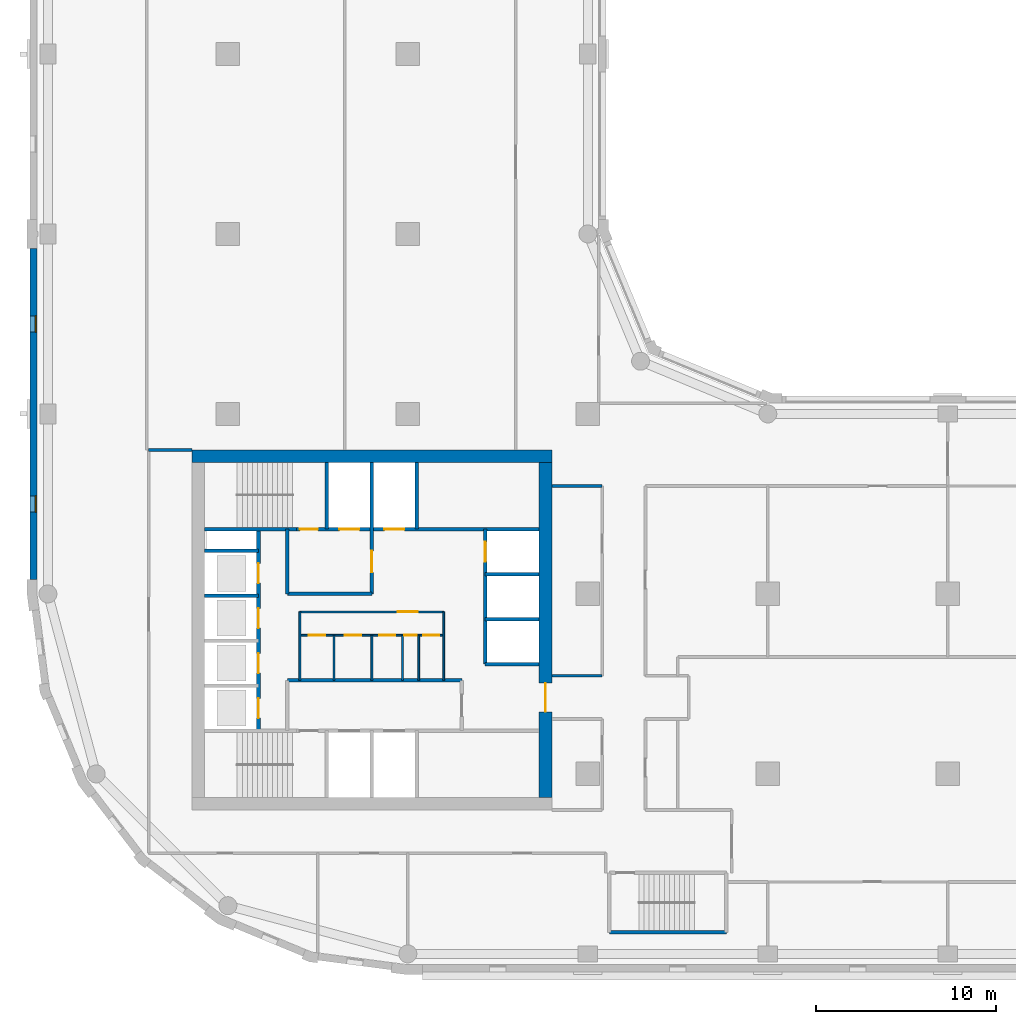
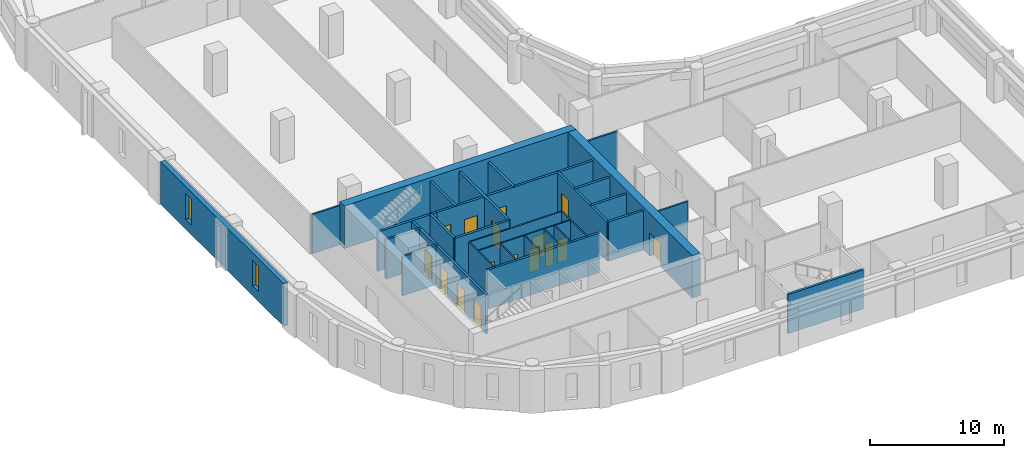
# One storey, part 3 of 9: 30 walls, 16 doors, 2 windows, 18 openings.
"""IFC4 building model written with IfcOpenShell, lengths in metres."""

from ifc_helpers import new_model, si_unit, direction, frame, frame_2d, origin, place, context, subcontext, project, spatial, rectangle, extrude, material, layer, layer_set, type_object, element, fill, save


model = new_model("IFC4")

# Units and contexts
model_context = context("Model", 3, precision=1e-05, world=origin(), true_north=direction((0.0, 1.0)))
body_context = subcontext(model_context, "Body", "Model", "MODEL_VIEW")
ifc_project = project(units=[si_unit("LENGTHUNIT", "METRE"), si_unit("AREAUNIT", "SQUARE_METRE"), si_unit("VOLUMEUNIT", "CUBIC_METRE"), si_unit("PLANEANGLEUNIT", "RADIAN"), si_unit("MASSUNIT", "GRAM", prefix="KILO")], contexts=[model_context])

# Site, building, storey
site_placement = place(None, origin())
site = spatial("IfcSite", under=ifc_project, at=site_placement, CompositionType="ELEMENT")
building_placement = place(site_placement, origin())
building = spatial("IfcBuilding", under=site, at=building_placement, Name="Qaws Garden Tower", CompositionType="ELEMENT")
storey_placement = place(building_placement, frame((0.0, 0.0, 143.39990234375)))
storey = spatial("IfcBuildingStorey", under=building, at=storey_placement, Name="L34", CompositionType="ELEMENT", Elevation=143.39990234375)

# Wall, openings, windows
ifc_material_1 = material(Name="Clay facing brick masonry", Category="masonry")
ifc_layer_1 = layer(ifc_material_1, 0.39990234375)
ifc_layer_set_1 = layer_set([ifc_layer_1], Name="Clay facing brick masonry")
wall_type_1 = type_object("IfcWallType", Name="Brick infill wall 400", PredefinedType="SOLIDWALL", material=ifc_layer_set_1)
wall_1_placement = place(storey_placement, frame((-0.800048828125, 39.199951171875, 0.0), z_axis=(0.0, 0.0, 1.0), x_axis=(0.0, -1.0, 0.0)))
wall_1 = element("IfcWall", 1, at=wall_1_placement, inside=storey, type_object=wall_type_1, Name="E-L34-infill-23", PredefinedType="SOLIDWALL", context=body_context, shape_type="SweptSolid", body=[
    extrude(rectangle(XDim=18.39990234375, YDim=0.39990234375, at=frame_2d((9.199951171875, 0.0))), origin(), (0.0, 0.0, 1.0), 3.900146484375),
])
opening_1_placement = place(wall_1_placement, frame((3.75, 0.0, 0.89990234375)))
opening_1 = element("IfcOpeningElement", 2, at=opening_1_placement, cuts=wall_1, Name="Opening W09", PredefinedType="OPENING", context=body_context, shape_type="SweptSolid", body=[
    extrude(rectangle(XDim=0.89990234375, YDim=2.35009765625, at=frame_2d((0.449951171875, 1.175048828125))), frame((0.0, 0.2099609375, 0.0), z_axis=(0.0, -1.0, 0.0), x_axis=(1.0, 0.0, 0.0)), (0.0, 0.0, 1.0), 0.419921875),
])
opening_2_placement = place(wall_1_placement, frame((13.75, 0.0, 0.89990234375)))
opening_2 = element("IfcOpeningElement", 3, at=opening_2_placement, cuts=wall_1, Name="Opening W09", PredefinedType="OPENING", context=body_context, shape_type="SweptSolid", body=[
    extrude(rectangle(XDim=0.89990234375, YDim=2.35009765625, at=frame_2d((0.449951171875, 1.175048828125))), frame((0.0, 0.2099609375, 0.0), z_axis=(0.0, -1.0, 0.0), x_axis=(1.0, 0.0, 0.0)), (0.0, 0.0, 1.0), 0.419921875),
])
ifc_material_2 = material(Name="Aluminium framed window, clear glazing", Category="aluminium")
window_type = type_object("IfcWindowType", Name="Slit window 900 x 2350", PartitioningType="SINGLE_PANEL", PredefinedType="WINDOW", material=ifc_material_2)
window_1_placement = place(opening_1_placement, origin())
window_1 = element("IfcWindow", 4, at=window_1_placement, inside=storey, type_object=window_type, Name="E-L34-window-23-0", OverallHeight=2.35009765625, OverallWidth=0.89990234375, PartitioningType="SINGLE_PANEL", PredefinedType="WINDOW", context=body_context, shape_type="SweptSolid", body=[
    extrude(rectangle(XDim=0.89990234375, YDim=2.35009765625, at=frame_2d((0.449951171875, 1.175048828125))), frame((0.0, 0.159912109375, 0.0), z_axis=(0.0, -1.0, 0.0), x_axis=(1.0, 0.0, 0.0)), (0.0, 0.0, 1.0), 0.06005859375),
])
fill(opening_1, window_1)
window_2_placement = place(opening_2_placement, origin())
window_2 = element("IfcWindow", 5, at=window_2_placement, inside=storey, type_object=window_type, Name="E-L34-window-24-0", OverallHeight=2.35009765625, OverallWidth=0.89990234375, PartitioningType="SINGLE_PANEL", PredefinedType="WINDOW", context=body_context, shape_type="SweptSolid", body=[
    extrude(rectangle(XDim=0.89990234375, YDim=2.35009765625, at=frame_2d((0.449951171875, 1.175048828125))), frame((0.0, 0.159912109375, 0.0), z_axis=(0.0, -1.0, 0.0), x_axis=(1.0, 0.0, 0.0)), (0.0, 0.0, 1.0), 0.06005859375),
])
fill(opening_2, window_2)

# Wall, openings, doors
ifc_material_3 = material(Name="Plasterboard")
ifc_layer_2 = layer(ifc_material_3, 0.10009765625)
ifc_layer_set_2 = layer_set([ifc_layer_2], Name="Plasterboard")
wall_type_2 = type_object("IfcWallType", Name="Core partition 100", PredefinedType="PARTITIONING", material=ifc_layer_set_2)
wall_2_placement = place(storey_placement, frame((14.0, 17.699951171875, 0.0), z_axis=(0.0, 0.0, 1.0), x_axis=(1.0, 0.0, 0.0)))
wall_2 = element("IfcWall", 6, at=wall_2_placement, inside=storey, type_object=wall_type_2, Name="Core partition", PredefinedType="PARTITIONING", context=body_context, shape_type="SweptSolid", body=[
    extrude(rectangle(XDim=8.0, YDim=0.10009765625, at=frame_2d((4.0, 0.0))), origin(), (0.0, 0.0, 1.0), 3.580078125),
])
opening_3_placement = place(wall_2_placement, frame((0.5, 0.0, 0.0)))
opening_3 = element("IfcOpeningElement", 7, at=opening_3_placement, cuts=wall_2, Name="Opening WD18", PredefinedType="OPENING", context=body_context, shape_type="SweptSolid", body=[
    extrude(rectangle(XDim=0.89990234375, YDim=2.10009765625, at=frame_2d((0.449951171875, 1.050048828125))), frame((0.0, 0.06005859375, 0.0), z_axis=(0.0, -1.0, 0.0), x_axis=(1.0, 0.0, 0.0)), (0.0, 0.0, 1.0), 0.1201171875),
])
opening_4_placement = place(wall_2_placement, frame((2.5, 0.0, 0.0)))
opening_4 = element("IfcOpeningElement", 8, at=opening_4_placement, cuts=wall_2, Name="Opening WD19", PredefinedType="OPENING", context=body_context, shape_type="SweptSolid", body=[
    extrude(rectangle(XDim=0.89990234375, YDim=2.10009765625, at=frame_2d((0.449951171875, 1.050048828125))), frame((0.0, 0.06005859375, 0.0), z_axis=(0.0, -1.0, 0.0), x_axis=(1.0, 0.0, 0.0)), (0.0, 0.0, 1.0), 0.1201171875),
])
opening_5_placement = place(wall_2_placement, frame((4.39990234375, 0.0, 0.0)))
opening_5 = element("IfcOpeningElement", 9, at=opening_5_placement, cuts=wall_2, Name="Opening WD20", PredefinedType="OPENING", context=body_context, shape_type="SweptSolid", body=[
    extrude(rectangle(XDim=0.89990234375, YDim=2.10009765625, at=frame_2d((0.449951171875, 1.050048828125))), frame((0.0, 0.06005859375, 0.0), z_axis=(0.0, -1.0, 0.0), x_axis=(1.0, 0.0, 0.0)), (0.0, 0.0, 1.0), 0.1201171875),
])
opening_6_placement = place(wall_2_placement, frame((5.800048828125, 0.0, 0.0)))
opening_6 = element("IfcOpeningElement", 10, at=opening_6_placement, cuts=wall_2, Name="Opening XD21", PredefinedType="OPENING", context=body_context, shape_type="SweptSolid", body=[
    extrude(rectangle(XDim=0.699951171875, YDim=2.10009765625, at=frame_2d((0.35009765625, 1.050048828125))), frame((0.0, 0.06005859375, 0.0), z_axis=(0.0, -1.0, 0.0), x_axis=(1.0, 0.0, 0.0)), (0.0, 0.0, 1.0), 0.1201171875),
])
opening_7_placement = place(wall_2_placement, frame((6.85009765625, 0.0, 0.0)))
opening_7 = element("IfcOpeningElement", 11, at=opening_7_placement, cuts=wall_2, Name="Opening WD22", PredefinedType="OPENING", context=body_context, shape_type="SweptSolid", body=[
    extrude(rectangle(XDim=0.89990234375, YDim=2.10009765625, at=frame_2d((0.449951171875, 1.050048828125))), frame((0.0, 0.06005859375, 0.0), z_axis=(0.0, -1.0, 0.0), x_axis=(1.0, 0.0, 0.0)), (0.0, 0.0, 1.0), 0.1201171875),
])
ifc_material_4 = material(Name="Timber", Category="wood")
door_type_1 = type_object("IfcDoorType", Name="Store door 700x2100", OperationType="SINGLE_SWING_LEFT", PredefinedType="DOOR", material=ifc_material_4)
door_1_placement = place(opening_6_placement, frame((0.699951171875, 0.0, 0.0), z_axis=(0.0, 0.0, 1.0), x_axis=(-1.0, 0.0, 0.0)))
door_1 = element("IfcDoor", 12, at=door_1_placement, inside=storey, type_object=door_type_1, Name="Cleaner's store door", OperationType="SINGLE_SWING_LEFT", OverallHeight=2.10009765625, OverallWidth=0.699951171875, PredefinedType="DOOR", context=body_context, shape_type="SweptSolid", body=[
    extrude(rectangle(XDim=0.699951171875, YDim=2.10009765625, at=frame_2d((0.35009765625, 1.050048828125))), frame((0.0, 0.02490234375, 0.0), z_axis=(0.0, -1.0, 0.0), x_axis=(1.0, 0.0, 0.0)), (0.0, 0.0, 1.0), 0.050048828125),
])
fill(opening_6, door_1)
ifc_material_5 = material(Name="Timber", Category="wood")
door_type_2 = type_object("IfcDoorType", Name="WC door 900x2100", OperationType="SINGLE_SWING_LEFT", PredefinedType="DOOR", material=ifc_material_5)
door_2_placement = place(opening_3_placement, frame((0.89990234375, 0.0, 0.0), z_axis=(0.0, 0.0, 1.0), x_axis=(-1.0, 0.0, 0.0)))
door_2 = element("IfcDoor", 13, at=door_2_placement, inside=storey, type_object=door_type_2, Name="Men's WC door", OperationType="SINGLE_SWING_LEFT", OverallHeight=2.10009765625, OverallWidth=0.89990234375, PredefinedType="DOOR", context=body_context, shape_type="SweptSolid", body=[
    extrude(rectangle(XDim=0.89990234375, YDim=2.10009765625, at=frame_2d((0.449951171875, 1.050048828125))), frame((0.0, 0.02490234375, 0.0), z_axis=(0.0, -1.0, 0.0), x_axis=(1.0, 0.0, 0.0)), (0.0, 0.0, 1.0), 0.050048828125),
])
fill(opening_3, door_2)
door_3_placement = place(opening_4_placement, frame((0.89990234375, 0.0, 0.0), z_axis=(0.0, 0.0, 1.0), x_axis=(-1.0, 0.0, 0.0)))
door_3 = element("IfcDoor", 14, at=door_3_placement, inside=storey, type_object=door_type_2, Name="Women's WC door", OperationType="SINGLE_SWING_LEFT", OverallHeight=2.10009765625, OverallWidth=0.89990234375, PredefinedType="DOOR", context=body_context, shape_type="SweptSolid", body=[
    extrude(rectangle(XDim=0.89990234375, YDim=2.10009765625, at=frame_2d((0.449951171875, 1.050048828125))), frame((0.0, 0.02490234375, 0.0), z_axis=(0.0, -1.0, 0.0), x_axis=(1.0, 0.0, 0.0)), (0.0, 0.0, 1.0), 0.050048828125),
])
fill(opening_4, door_3)
door_4_placement = place(opening_5_placement, frame((0.89990234375, 0.0, 0.0), z_axis=(0.0, 0.0, 1.0), x_axis=(-1.0, 0.0, 0.0)))
door_4 = element("IfcDoor", 15, at=door_4_placement, inside=storey, type_object=door_type_2, Name="Accessible WC door", OperationType="SINGLE_SWING_LEFT", OverallHeight=2.10009765625, OverallWidth=0.89990234375, PredefinedType="DOOR", context=body_context, shape_type="SweptSolid", body=[
    extrude(rectangle(XDim=0.89990234375, YDim=2.10009765625, at=frame_2d((0.449951171875, 1.050048828125))), frame((0.0, 0.02490234375, 0.0), z_axis=(0.0, -1.0, 0.0), x_axis=(1.0, 0.0, 0.0)), (0.0, 0.0, 1.0), 0.050048828125),
])
fill(opening_5, door_4)
door_5_placement = place(opening_7_placement, frame((0.89990234375, 0.0, 0.0), z_axis=(0.0, 0.0, 1.0), x_axis=(-1.0, 0.0, 0.0)))
door_5 = element("IfcDoor", 16, at=door_5_placement, inside=storey, type_object=door_type_2, Name="Linen store door", OperationType="SINGLE_SWING_LEFT", OverallHeight=2.10009765625, OverallWidth=0.89990234375, PredefinedType="DOOR", context=body_context, shape_type="SweptSolid", body=[
    extrude(rectangle(XDim=0.89990234375, YDim=2.10009765625, at=frame_2d((0.449951171875, 1.050048828125))), frame((0.0, 0.02490234375, 0.0), z_axis=(0.0, -1.0, 0.0), x_axis=(1.0, 0.0, 0.0)), (0.0, 0.0, 1.0), 0.050048828125),
])
fill(opening_7, door_5)

# Wall, opening, door
wall_3_placement = place(storey_placement, frame((14.0, 19.0, 0.0), z_axis=(0.0, 0.0, 1.0), x_axis=(1.0, 0.0, 0.0)))
wall_3 = element("IfcWall", 17, at=wall_3_placement, inside=storey, type_object=wall_type_2, Name="Core partition", PredefinedType="PARTITIONING", context=body_context, shape_type="SweptSolid", body=[
    extrude(rectangle(XDim=8.0, YDim=0.10009765625, at=frame_2d((4.0, 0.0))), origin(), (0.0, 0.0, 1.0), 3.580078125),
])
opening_8_placement = place(wall_3_placement, frame((5.449951171875, 0.0, 0.0)))
opening_8 = element("IfcOpeningElement", 18, at=opening_8_placement, cuts=wall_3, Name="Opening WL17", PredefinedType="OPENING", context=body_context, shape_type="SweptSolid", body=[
    extrude(rectangle(XDim=1.10009765625, YDim=2.10009765625, at=frame_2d((0.550048828125, 1.050048828125))), frame((0.0, 0.06005859375, 0.0), z_axis=(0.0, -1.0, 0.0), x_axis=(1.0, 0.0, 0.0)), (0.0, 0.0, 1.0), 0.1201171875),
])
ifc_material_6 = material(Name="Timber", Category="wood")
door_type_3 = type_object("IfcDoorType", Name="WC lobby door 1100x2100", OperationType="SINGLE_SWING_LEFT", PredefinedType="DOOR", material=ifc_material_6)
door_6_placement = place(opening_8_placement, frame((1.10009765625, 0.0, 0.0), z_axis=(0.0, 0.0, 1.0), x_axis=(-1.0, 0.0, 0.0)))
door_6 = element("IfcDoor", 19, at=door_6_placement, inside=storey, type_object=door_type_3, Name="WC lobby door", OperationType="SINGLE_SWING_LEFT", OverallHeight=2.10009765625, OverallWidth=1.10009765625, PredefinedType="DOOR", context=body_context, shape_type="SweptSolid", body=[
    extrude(rectangle(XDim=1.10009765625, YDim=2.10009765625, at=frame_2d((0.550048828125, 1.050048828125))), frame((0.0, 0.02490234375, 0.0), z_axis=(0.0, -1.0, 0.0), x_axis=(1.0, 0.0, 0.0)), (0.0, 0.0, 1.0), 0.050048828125),
])
fill(opening_8, door_6)

# Walls
wall_4_placement = place(storey_placement, frame((14.0, 15.199951171875, 0.0), z_axis=(0.0, 0.0, 1.0), x_axis=(0.0, 1.0, 0.0)))
element("IfcWall", 20, at=wall_4_placement, inside=storey, type_object=wall_type_2, Name="Core partition", PredefinedType="PARTITIONING", context=body_context, shape_type="SweptSolid", body=[
    extrude(rectangle(XDim=3.800048828125, YDim=0.10009765625, at=frame_2d((1.89990234375, 0.0))), origin(), (0.0, 0.0, 1.0), 3.580078125),
])
for number, where, z_axis, x_axis, name in (
    (21, (15.89990234375, 15.199951171875, 0.0), (0.0, 0.0, 1.0), (0.0, 1.0, 0.0), "Core partition"),
    (22, (18.0, 15.199951171875, 0.0), (0.0, 0.0, 1.0), (0.0, 1.0, 0.0), "Core partition"),
    (23, (19.699951171875, 15.199951171875, 0.0), (0.0, 0.0, 1.0), (0.0, 1.0, 0.0), "Core partition"),
    (24, (20.60009765625, 15.199951171875, 0.0), (0.0, 0.0, 1.0), (0.0, 1.0, 0.0), "Core partition"),
):
    element("IfcWall", number, at=place(storey_placement, frame(where, z_axis=z_axis, x_axis=x_axis)), inside=storey, type_object=wall_type_2, Name=name, PredefinedType="PARTITIONING", context=body_context, shape_type="SweptSolid", body=[
        extrude(rectangle(XDim=2.5, YDim=0.10009765625, at=frame_2d((1.25, 0.0))), origin(), (0.0, 0.0, 1.0), 3.580078125),
    ])
wall_5_placement = place(storey_placement, frame((22.0, 15.199951171875, 0.0), z_axis=(0.0, 0.0, 1.0), x_axis=(0.0, 1.0, 0.0)))
element("IfcWall", 25, at=wall_5_placement, inside=storey, type_object=wall_type_2, Name="Core partition", PredefinedType="PARTITIONING", context=body_context, shape_type="SweptSolid", body=[
    extrude(rectangle(XDim=3.800048828125, YDim=0.10009765625, at=frame_2d((1.89990234375, 0.0))), origin(), (0.0, 0.0, 1.0), 3.580078125),
])
ifc_material_7 = material(Name="Concrete C70", Category="concrete")
ifc_layer_3 = layer(ifc_material_7, 0.199951171875)
ifc_layer_set_3 = layer_set([ifc_layer_3], Name="Concrete C70")
wall_type_3 = type_object("IfcWallType", Name="Core shaft wall 200 C70", PredefinedType="SHEAR", material=ifc_layer_set_3)
wall_6_placement = place(storey_placement, frame((31.199951171875, 1.199951171875, 0.0), z_axis=(0.0, 0.0, 1.0), x_axis=(1.0, 0.0, 0.0)))
element("IfcWall", 26, at=wall_6_placement, inside=storey, type_object=wall_type_3, Name="Shaft wall", PredefinedType="SHEAR", context=body_context, shape_type="SweptSolid", body=[
    extrude(rectangle(XDim=6.5, YDim=0.199951171875, at=frame_2d((3.25, 0.0))), origin(), (0.0, 0.0, 1.0), 3.580078125),
])
wall_7_placement = place(storey_placement, frame((13.300048828125, 15.199951171875, 0.0), z_axis=(0.0, 0.0, 1.0), x_axis=(1.0, 0.0, 0.0)))
element("IfcWall", 27, at=wall_7_placement, inside=storey, type_object=wall_type_3, Name="Shaft wall", PredefinedType="SHEAR", context=body_context, shape_type="SweptSolid", body=[
    extrude(rectangle(XDim=9.699951171875, YDim=0.199951171875, at=frame_2d((4.85009765625, 0.0))), origin(), (0.0, 0.0, 1.0), 3.580078125),
])
for number, where, z_axis, x_axis, name in (
    (28, (24.300048828125, 16.10009765625, 0.0), (0.0, 0.0, 1.0), (1.0, 0.0, 0.0), "Shaft wall"),
    (29, (24.300048828125, 18.60009765625, 0.0), (0.0, 0.0, 1.0), (1.0, 0.0, 0.0), "Shaft wall"),
    (30, (8.699951171875, 19.89990234375, 0.0), (0.0, 0.0, 1.0), (1.0, 0.0, 0.0), "Shaft wall"),
):
    element("IfcWall", number, at=place(storey_placement, frame(where, z_axis=z_axis, x_axis=x_axis)), inside=storey, type_object=wall_type_3, Name=name, PredefinedType="SHEAR", context=body_context, shape_type="SweptSolid", body=[
        extrude(rectangle(XDim=3.0, YDim=0.199951171875, at=frame_2d((1.5, 0.0))), origin(), (0.0, 0.0, 1.0), 3.580078125),
    ])
wall_8_placement = place(storey_placement, frame((13.300048828125, 20.0, 0.0), z_axis=(0.0, 0.0, 1.0), x_axis=(1.0, 0.0, 0.0)))
element("IfcWall", 31, at=wall_8_placement, inside=storey, type_object=wall_type_3, Name="Shaft wall", PredefinedType="SHEAR", context=body_context, shape_type="SweptSolid", body=[
    extrude(rectangle(XDim=4.699951171875, YDim=0.199951171875, at=frame_2d((2.35009765625, 0.0))), origin(), (0.0, 0.0, 1.0), 3.580078125),
])
for number, where, z_axis, x_axis, name in (
    (32, (24.300048828125, 21.10009765625, 0.0), (0.0, 0.0, 1.0), (1.0, 0.0, 0.0), "Shaft wall"),
    (33, (8.699951171875, 22.39990234375, 0.0), (0.0, 0.0, 1.0), (1.0, 0.0, 0.0), "Shaft wall"),
):
    element("IfcWall", number, at=place(storey_placement, frame(where, z_axis=z_axis, x_axis=x_axis)), inside=storey, type_object=wall_type_3, Name=name, PredefinedType="SHEAR", context=body_context, shape_type="SweptSolid", body=[
        extrude(rectangle(XDim=3.0, YDim=0.199951171875, at=frame_2d((1.5, 0.0))), origin(), (0.0, 0.0, 1.0), 3.580078125),
    ])
wall_9_placement = place(storey_placement, frame((8.699951171875, 23.60009765625, 0.0), z_axis=(0.0, 0.0, 1.0), x_axis=(1.0, 0.0, 0.0)))
element("IfcWall", 34, at=wall_9_placement, inside=storey, type_object=wall_type_3, Name="Shaft wall", PredefinedType="SHEAR", context=body_context, shape_type="SweptSolid", body=[
    extrude(rectangle(XDim=5.10009765625, YDim=0.199951171875, at=frame_2d((2.550048828125, 0.0))), origin(), (0.0, 0.0, 1.0), 3.580078125),
])

# Wall, openings, doors
wall_10_placement = place(storey_placement, frame((13.800048828125, 23.60009765625, 0.0), z_axis=(0.0, 0.0, 1.0), x_axis=(1.0, 0.0, 0.0)))
wall_10 = element("IfcWall", 35, at=wall_10_placement, inside=storey, type_object=wall_type_3, Name="Shaft wall", PredefinedType="SHEAR", context=body_context, shape_type="SweptSolid", body=[
    extrude(rectangle(XDim=13.5, YDim=0.199951171875, at=frame_2d((6.75, 0.0))), origin(), (0.0, 0.0, 1.0), 3.580078125),
])
opening_9_placement = place(wall_10_placement, frame((2.39990234375, 0.0, 0.0)))
opening_9 = element("IfcOpeningElement", 36, at=opening_9_placement, cuts=wall_10, Name="Opening LD08", PredefinedType="OPENING", context=body_context, shape_type="SweptSolid", body=[
    extrude(rectangle(XDim=1.10009765625, YDim=2.10009765625, at=frame_2d((0.550048828125, 1.050048828125))), frame((0.0, 0.10986328125, 0.0), z_axis=(0.0, -1.0, 0.0), x_axis=(1.0, 0.0, 0.0)), (0.0, 0.0, 1.0), 0.219970703125),
])
opening_10_placement = place(wall_10_placement, frame((4.89990234375, 0.0, 0.0)))
opening_10 = element("IfcOpeningElement", 37, at=opening_10_placement, cuts=wall_10, Name="Opening LD09", PredefinedType="OPENING", context=body_context, shape_type="SweptSolid", body=[
    extrude(rectangle(XDim=1.10009765625, YDim=2.10009765625, at=frame_2d((0.550048828125, 1.050048828125))), frame((0.0, 0.10986328125, 0.0), z_axis=(0.0, -1.0, 0.0), x_axis=(1.0, 0.0, 0.0)), (0.0, 0.0, 1.0), 0.219970703125),
])
opening_11_placement = place(wall_10_placement, frame((0.199951171875, 0.0, 0.0)))
opening_11 = element("IfcOpeningElement", 38, at=opening_11_placement, cuts=wall_10, Name="Opening SD11", PredefinedType="OPENING", context=body_context, shape_type="SweptSolid", body=[
    extrude(rectangle(XDim=1.0, YDim=2.10009765625, at=frame_2d((0.5, 1.050048828125))), frame((0.0, 0.10986328125, 0.0), z_axis=(0.0, -1.0, 0.0), x_axis=(1.0, 0.0, 0.0)), (0.0, 0.0, 1.0), 0.219970703125),
])
ifc_material_8 = material(Name="Steel S235", Category="steel")
door_type_4 = type_object("IfcDoorType", Name="Landing door 1100x2100", OperationType="DOUBLE_DOOR_SLIDING", PredefinedType="DOOR", material=ifc_material_8)
door_7_placement = place(opening_9_placement, origin())
door_7 = element("IfcDoor", 39, at=door_7_placement, inside=storey, type_object=door_type_4, Name="Lift FF3 landing door", OperationType="DOUBLE_DOOR_SLIDING", OverallHeight=2.10009765625, OverallWidth=1.10009765625, PredefinedType="DOOR", context=body_context, shape_type="SweptSolid", body=[
    extrude(rectangle(XDim=1.10009765625, YDim=2.10009765625, at=frame_2d((0.550048828125, 1.050048828125))), frame((0.0, 0.02490234375, 0.0), z_axis=(0.0, -1.0, 0.0), x_axis=(1.0, 0.0, 0.0)), (0.0, 0.0, 1.0), 0.050048828125),
])
fill(opening_9, door_7)
door_8_placement = place(opening_10_placement, origin())
door_8 = element("IfcDoor", 40, at=door_8_placement, inside=storey, type_object=door_type_4, Name="Lift SV2 landing door", OperationType="DOUBLE_DOOR_SLIDING", OverallHeight=2.10009765625, OverallWidth=1.10009765625, PredefinedType="DOOR", context=body_context, shape_type="SweptSolid", body=[
    extrude(rectangle(XDim=1.10009765625, YDim=2.10009765625, at=frame_2d((0.550048828125, 1.050048828125))), frame((0.0, 0.02490234375, 0.0), z_axis=(0.0, -1.0, 0.0), x_axis=(1.0, 0.0, 0.0)), (0.0, 0.0, 1.0), 0.050048828125),
])
fill(opening_10, door_8)
ifc_material_9 = material(Name="Steel S235", Category="steel")
door_type_5 = type_object("IfcDoorType", Name="Stair door 1000x2100", OperationType="SINGLE_SWING_RIGHT", PredefinedType="DOOR", material=ifc_material_9)
door_9_placement = place(opening_11_placement, origin())
door_9 = element("IfcDoor", 41, at=door_9_placement, inside=storey, type_object=door_type_5, Name="Stair 4 door", OperationType="SINGLE_SWING_RIGHT", OverallHeight=2.10009765625, OverallWidth=1.0, PredefinedType="DOOR", context=body_context, shape_type="SweptSolid", body=[
    extrude(rectangle(XDim=1.0, YDim=2.10009765625, at=frame_2d((0.5, 1.050048828125))), frame((0.0, 0.02490234375, 0.0), z_axis=(0.0, -1.0, 0.0), x_axis=(1.0, 0.0, 0.0)), (0.0, 0.0, 1.0), 0.050048828125),
])
fill(opening_11, door_9)

wall_11_placement = place(storey_placement, frame((11.699951171875, 12.39990234375, 0.0), z_axis=(0.0, 0.0, 1.0), x_axis=(0.0, 1.0, 0.0)))
wall_11 = element("IfcWall", 42, at=wall_11_placement, inside=storey, type_object=wall_type_3, Name="Shaft wall", PredefinedType="SHEAR", context=body_context, shape_type="SweptSolid", body=[
    extrude(rectangle(XDim=11.2001953125, YDim=0.199951171875, at=frame_2d((5.60009765625, 0.0))), origin(), (0.0, 0.0, 1.0), 3.580078125),
])
opening_12_placement = place(wall_11_placement, frame((0.699951171875, 0.0, 0.0)))
opening_12 = element("IfcOpeningElement", 43, at=opening_12_placement, cuts=wall_11, Name="Opening LD01", PredefinedType="OPENING", context=body_context, shape_type="SweptSolid", body=[
    extrude(rectangle(XDim=1.10009765625, YDim=2.10009765625, at=frame_2d((0.550048828125, 1.050048828125))), frame((0.0, 0.10986328125, 0.0), z_axis=(0.0, -1.0, 0.0), x_axis=(1.0, 0.0, 0.0)), (0.0, 0.0, 1.0), 0.219970703125),
])
opening_13_placement = place(wall_11_placement, frame((3.199951171875, 0.0, 0.0)))
opening_13 = element("IfcOpeningElement", 44, at=opening_13_placement, cuts=wall_11, Name="Opening LD02", PredefinedType="OPENING", context=body_context, shape_type="SweptSolid", body=[
    extrude(rectangle(XDim=1.10009765625, YDim=2.10009765625, at=frame_2d((0.550048828125, 1.050048828125))), frame((0.0, 0.10986328125, 0.0), z_axis=(0.0, -1.0, 0.0), x_axis=(1.0, 0.0, 0.0)), (0.0, 0.0, 1.0), 0.219970703125),
])
opening_14_placement = place(wall_11_placement, frame((5.699951171875, 0.0, 0.0)))
opening_14 = element("IfcOpeningElement", 45, at=opening_14_placement, cuts=wall_11, Name="Opening LD03", PredefinedType="OPENING", context=body_context, shape_type="SweptSolid", body=[
    extrude(rectangle(XDim=1.10009765625, YDim=2.10009765625, at=frame_2d((0.550048828125, 1.050048828125))), frame((0.0, 0.10986328125, 0.0), z_axis=(0.0, -1.0, 0.0), x_axis=(1.0, 0.0, 0.0)), (0.0, 0.0, 1.0), 0.219970703125),
])
opening_15_placement = place(wall_11_placement, frame((8.199951171875, 0.0, 0.0)))
opening_15 = element("IfcOpeningElement", 46, at=opening_15_placement, cuts=wall_11, Name="Opening LD04", PredefinedType="OPENING", context=body_context, shape_type="SweptSolid", body=[
    extrude(rectangle(XDim=1.10009765625, YDim=2.10009765625, at=frame_2d((0.550048828125, 1.050048828125))), frame((0.0, 0.10986328125, 0.0), z_axis=(0.0, -1.0, 0.0), x_axis=(1.0, 0.0, 0.0)), (0.0, 0.0, 1.0), 0.219970703125),
])
door_10_placement = place(opening_12_placement, origin())
door_10 = element("IfcDoor", 47, at=door_10_placement, inside=storey, type_object=door_type_4, Name="Lift W1 landing door", OperationType="DOUBLE_DOOR_SLIDING", OverallHeight=2.10009765625, OverallWidth=1.10009765625, PredefinedType="DOOR", context=body_context, shape_type="SweptSolid", body=[
    extrude(rectangle(XDim=1.10009765625, YDim=2.10009765625, at=frame_2d((0.550048828125, 1.050048828125))), frame((0.0, 0.02490234375, 0.0), z_axis=(0.0, -1.0, 0.0), x_axis=(1.0, 0.0, 0.0)), (0.0, 0.0, 1.0), 0.050048828125),
])
fill(opening_12, door_10)
door_11_placement = place(opening_13_placement, origin())
door_11 = element("IfcDoor", 48, at=door_11_placement, inside=storey, type_object=door_type_4, Name="Lift W2 landing door", OperationType="DOUBLE_DOOR_SLIDING", OverallHeight=2.10009765625, OverallWidth=1.10009765625, PredefinedType="DOOR", context=body_context, shape_type="SweptSolid", body=[
    extrude(rectangle(XDim=1.10009765625, YDim=2.10009765625, at=frame_2d((0.550048828125, 1.050048828125))), frame((0.0, 0.02490234375, 0.0), z_axis=(0.0, -1.0, 0.0), x_axis=(1.0, 0.0, 0.0)), (0.0, 0.0, 1.0), 0.050048828125),
])
fill(opening_13, door_11)
door_12_placement = place(opening_14_placement, origin())
door_12 = element("IfcDoor", 49, at=door_12_placement, inside=storey, type_object=door_type_4, Name="Lift W3 landing door", OperationType="DOUBLE_DOOR_SLIDING", OverallHeight=2.10009765625, OverallWidth=1.10009765625, PredefinedType="DOOR", context=body_context, shape_type="SweptSolid", body=[
    extrude(rectangle(XDim=1.10009765625, YDim=2.10009765625, at=frame_2d((0.550048828125, 1.050048828125))), frame((0.0, 0.02490234375, 0.0), z_axis=(0.0, -1.0, 0.0), x_axis=(1.0, 0.0, 0.0)), (0.0, 0.0, 1.0), 0.050048828125),
])
fill(opening_14, door_12)
door_13_placement = place(opening_15_placement, origin())
door_13 = element("IfcDoor", 50, at=door_13_placement, inside=storey, type_object=door_type_4, Name="Lift W4 landing door", OperationType="DOUBLE_DOOR_SLIDING", OverallHeight=2.10009765625, OverallWidth=1.10009765625, PredefinedType="DOOR", context=body_context, shape_type="SweptSolid", body=[
    extrude(rectangle(XDim=1.10009765625, YDim=2.10009765625, at=frame_2d((0.550048828125, 1.050048828125))), frame((0.0, 0.02490234375, 0.0), z_axis=(0.0, -1.0, 0.0), x_axis=(1.0, 0.0, 0.0)), (0.0, 0.0, 1.0), 0.050048828125),
])
fill(opening_15, door_13)

# Walls
wall_12_placement = place(storey_placement, frame((13.300048828125, 20.0, 0.0), z_axis=(0.0, 0.0, 1.0), x_axis=(0.0, 1.0, 0.0)))
element("IfcWall", 51, at=wall_12_placement, inside=storey, type_object=wall_type_3, Name="Shaft wall", PredefinedType="SHEAR", context=body_context, shape_type="SweptSolid", body=[
    extrude(rectangle(XDim=3.60009765625, YDim=0.199951171875, at=frame_2d((1.800048828125, 0.0))), origin(), (0.0, 0.0, 1.0), 3.580078125),
])
wall_13_placement = place(storey_placement, frame((15.5, 23.60009765625, 0.0), z_axis=(0.0, 0.0, 1.0), x_axis=(0.0, 1.0, 0.0)))
element("IfcWall", 52, at=wall_13_placement, inside=storey, type_object=wall_type_3, Name="Shaft wall", PredefinedType="SHEAR", context=body_context, shape_type="SweptSolid", body=[
    extrude(rectangle(XDim=3.699951171875, YDim=0.199951171875, at=frame_2d((1.85009765625, 0.0))), origin(), (0.0, 0.0, 1.0), 3.580078125),
])

# Wall, opening, door
wall_14_placement = place(storey_placement, frame((18.0, 20.0, 0.0), z_axis=(0.0, 0.0, 1.0), x_axis=(0.0, 1.0, 0.0)))
wall_14 = element("IfcWall", 53, at=wall_14_placement, inside=storey, type_object=wall_type_3, Name="Shaft wall", PredefinedType="SHEAR", context=body_context, shape_type="SweptSolid", body=[
    extrude(rectangle(XDim=7.300048828125, YDim=0.199951171875, at=frame_2d((3.64990234375, 0.0))), origin(), (0.0, 0.0, 1.0), 3.580078125),
])
opening_16_placement = place(wall_14_placement, frame((1.199951171875, 0.0, 0.0)))
opening_16 = element("IfcOpeningElement", 54, at=opening_16_placement, cuts=wall_14, Name="Opening FD16", PredefinedType="OPENING", context=body_context, shape_type="SweptSolid", body=[
    extrude(rectangle(XDim=1.199951171875, YDim=2.10009765625, at=frame_2d((0.60009765625, 1.050048828125))), frame((0.0, 0.10986328125, 0.0), z_axis=(0.0, -1.0, 0.0), x_axis=(1.0, 0.0, 0.0)), (0.0, 0.0, 1.0), 0.219970703125),
])
ifc_material_10 = material(Name="Steel S235", Category="steel")
door_type_6 = type_object("IfcDoorType", Name="Lobby door 1200x2100", OperationType="DOUBLE_DOOR_SINGLE_SWING", PredefinedType="DOOR", material=ifc_material_10)
door_14_placement = place(opening_16_placement, origin())
door_14 = element("IfcDoor", 55, at=door_14_placement, inside=storey, type_object=door_type_6, Name="Fire-fighting lobby door", OperationType="DOUBLE_DOOR_SINGLE_SWING", OverallHeight=2.10009765625, OverallWidth=1.199951171875, PredefinedType="DOOR", context=body_context, shape_type="SweptSolid", body=[
    extrude(rectangle(XDim=1.199951171875, YDim=2.10009765625, at=frame_2d((0.60009765625, 1.050048828125))), frame((0.0, 0.02490234375, 0.0), z_axis=(0.0, -1.0, 0.0), x_axis=(1.0, 0.0, 0.0)), (0.0, 0.0, 1.0), 0.050048828125),
])
fill(opening_16, door_14)

# Wall
wall_15_placement = place(storey_placement, frame((20.5, 23.60009765625, 0.0), z_axis=(0.0, 0.0, 1.0), x_axis=(0.0, 1.0, 0.0)))
element("IfcWall", 56, at=wall_15_placement, inside=storey, type_object=wall_type_3, Name="Shaft wall", PredefinedType="SHEAR", context=body_context, shape_type="SweptSolid", body=[
    extrude(rectangle(XDim=3.699951171875, YDim=0.199951171875, at=frame_2d((1.85009765625, 0.0))), origin(), (0.0, 0.0, 1.0), 3.580078125),
])

# Wall, opening, door
wall_16_placement = place(storey_placement, frame((24.300048828125, 16.10009765625, 0.0), z_axis=(0.0, 0.0, 1.0), x_axis=(0.0, 1.0, 0.0)))
wall_16 = element("IfcWall", 57, at=wall_16_placement, inside=storey, type_object=wall_type_3, Name="Shaft wall", PredefinedType="SHEAR", context=body_context, shape_type="SweptSolid", body=[
    extrude(rectangle(XDim=7.5, YDim=0.199951171875, at=frame_2d((3.75, 0.0))), origin(), (0.0, 0.0, 1.0), 3.580078125),
])
opening_17_placement = place(wall_16_placement, frame((5.699951171875, 0.0, 0.0)))
opening_17 = element("IfcOpeningElement", 58, at=opening_17_placement, cuts=wall_16, Name="Opening LD05", PredefinedType="OPENING", context=body_context, shape_type="SweptSolid", body=[
    extrude(rectangle(XDim=1.10009765625, YDim=2.10009765625, at=frame_2d((0.550048828125, 1.050048828125))), frame((0.0, 0.10986328125, 0.0), z_axis=(0.0, -1.0, 0.0), x_axis=(1.0, 0.0, 0.0)), (0.0, 0.0, 1.0), 0.219970703125),
])
door_15_placement = place(opening_17_placement, origin())
door_15 = element("IfcDoor", 59, at=door_15_placement, inside=storey, type_object=door_type_4, Name="Lift E3 landing door", OperationType="DOUBLE_DOOR_SLIDING", OverallHeight=2.10009765625, OverallWidth=1.10009765625, PredefinedType="DOOR", context=body_context, shape_type="SweptSolid", body=[
    extrude(rectangle(XDim=1.10009765625, YDim=2.10009765625, at=frame_2d((0.550048828125, 1.050048828125))), frame((0.0, 0.02490234375, 0.0), z_axis=(0.0, -1.0, 0.0), x_axis=(1.0, 0.0, 0.0)), (0.0, 0.0, 1.0), 0.050048828125),
])
fill(opening_17, door_15)

ifc_material_11 = material(Name="Concrete C70", Category="concrete")
ifc_layer_4 = layer(ifc_material_11, 0.699951171875)
ifc_layer_set_4 = layer_set([ifc_layer_4], Name="Concrete C70")
wall_type_4 = type_object("IfcWallType", Name="Core wall 700 C70", PredefinedType="SHEAR", material=ifc_layer_set_4)
wall_17_placement = place(storey_placement, frame((27.64990234375, 8.699951171875, 0.0), z_axis=(0.0, 0.0, 1.0), x_axis=(0.0, 1.0, 0.0)))
wall_17 = element("IfcWall", 60, at=wall_17_placement, inside=storey, type_object=wall_type_4, Name="Core wall L34 east", PredefinedType="SHEAR", context=body_context, shape_type="SweptSolid", body=[
    extrude(rectangle(XDim=18.60009765625, YDim=0.699951171875, at=frame_2d((9.300048828125, 0.0))), origin(), (0.0, 0.0, 1.0), 3.900146484375),
])
opening_18_placement = place(wall_17_placement, frame((4.75, 0.0, 0.0)))
opening_18 = element("IfcOpeningElement", 61, at=opening_18_placement, cuts=wall_17, Name="Opening ED23", PredefinedType="OPENING", context=body_context, shape_type="SweptSolid", body=[
    extrude(rectangle(XDim=1.60009765625, YDim=2.10009765625, at=frame_2d((0.800048828125, 1.050048828125))), frame((0.0, 0.35986328125, 0.0), z_axis=(0.0, -1.0, 0.0), x_axis=(1.0, 0.0, 0.0)), (0.0, 0.0, 1.0), 0.719970703125),
])
ifc_material_12 = material(Name="Steel S235", Category="steel")
door_type_7 = type_object("IfcDoorType", Name="Core entrance door 1600x2100", OperationType="DOUBLE_DOOR_SINGLE_SWING", PredefinedType="DOOR", material=ifc_material_12)
door_16_placement = place(opening_18_placement, origin())
door_16 = element("IfcDoor", 62, at=door_16_placement, inside=storey, type_object=door_type_7, Name="Core entrance door", OperationType="DOUBLE_DOOR_SINGLE_SWING", OverallHeight=2.10009765625, OverallWidth=1.60009765625, PredefinedType="DOOR", context=body_context, shape_type="SweptSolid", body=[
    extrude(rectangle(XDim=1.60009765625, YDim=2.10009765625, at=frame_2d((0.800048828125, 1.050048828125))), frame((0.0, 0.02490234375, 0.0), z_axis=(0.0, -1.0, 0.0), x_axis=(1.0, 0.0, 0.0)), (0.0, 0.0, 1.0), 0.050048828125),
])
fill(opening_18, door_16)

# Walls
wall_18_placement = place(storey_placement, frame((28.0, 27.64990234375, 0.0), z_axis=(0.0, 0.0, 1.0), x_axis=(-1.0, 0.0, 0.0)))
element("IfcWall", 63, at=wall_18_placement, inside=storey, type_object=wall_type_4, Name="Core wall L34 north", PredefinedType="SHEAR", context=body_context, shape_type="SweptSolid", body=[
    extrude(rectangle(XDim=20.0, YDim=0.699951171875, at=frame_2d((10.0, 0.0))), origin(), (0.0, 0.0, 1.0), 3.900146484375),
])
ifc_material_13 = material(Name="Gypsum board partition")
ifc_layer_5 = layer(ifc_material_13, 0.14990234375)
ifc_layer_set_5 = layer_set([ifc_layer_5], Name="Gypsum board partition")
wall_type_5 = type_object("IfcWallType", Name="PARTITION 150 EI 60", PredefinedType="PARTITIONING", material=ifc_layer_set_5)
for number, where, z_axis, x_axis, name in (
    (64, (28.0, 15.449951171875, 0.0), (0.0, 0.0, 1.0), (1.0, 0.0, 0.0), "O-L34-wall-038"),
    (65, (28.0, 26.0, 0.0), (0.0, 0.0, 1.0), (1.0, 0.0, 0.0), "O-L34-wall-041"),
):
    element("IfcWall", number, at=place(storey_placement, frame(where, z_axis=z_axis, x_axis=x_axis)), inside=storey, type_object=wall_type_5, Name=name, PredefinedType="PARTITIONING", context=body_context, shape_type="SweptSolid", body=[
        extrude(rectangle(XDim=2.799072265625, YDim=0.14990234375, at=frame_2d((1.3994140625, 0.0))), origin(), (0.0, 0.0, 1.0), 3.580078125),
    ])
wall_19_placement = place(storey_placement, frame((5.60009765625, 28.0, 0.0), z_axis=(0.0, 0.0, 1.0), x_axis=(1.0, 0.0, 0.0)))
element("IfcWall", 66, at=wall_19_placement, inside=storey, type_object=wall_type_5, Name="O-L34-wall-043", PredefinedType="PARTITIONING", context=body_context, shape_type="SweptSolid", body=[
    extrude(rectangle(XDim=2.39990234375, YDim=0.14990234375, at=frame_2d((1.199951171875, 0.0))), origin(), (0.0, 0.0, 1.0), 3.580078125),
])

save(model, "model.ifc")
